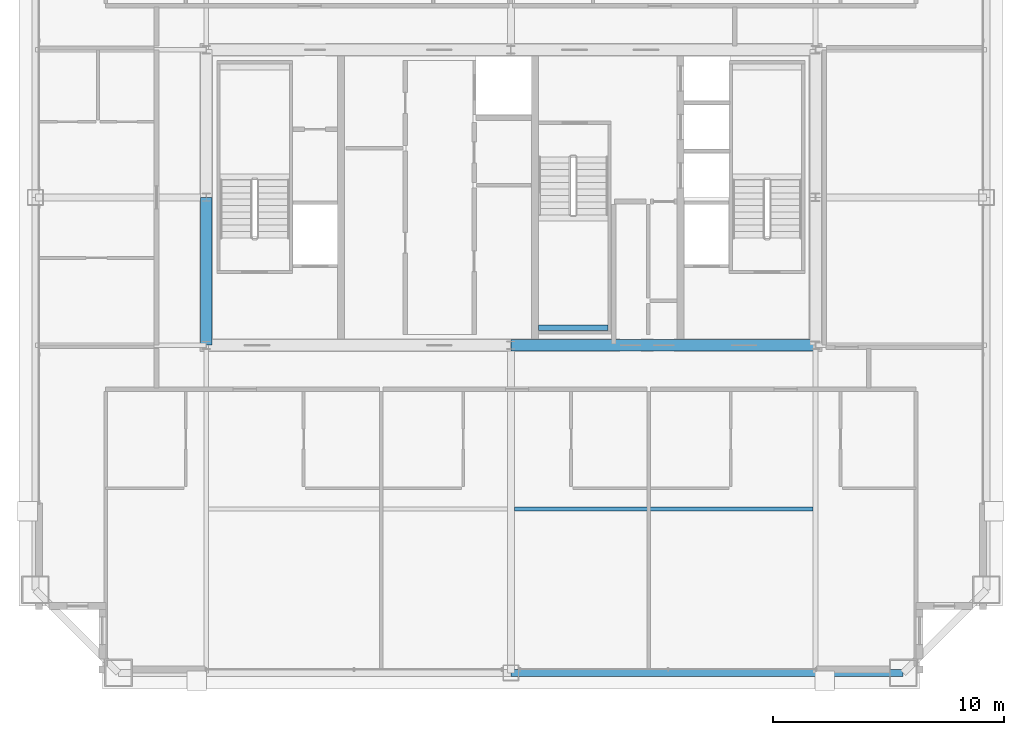
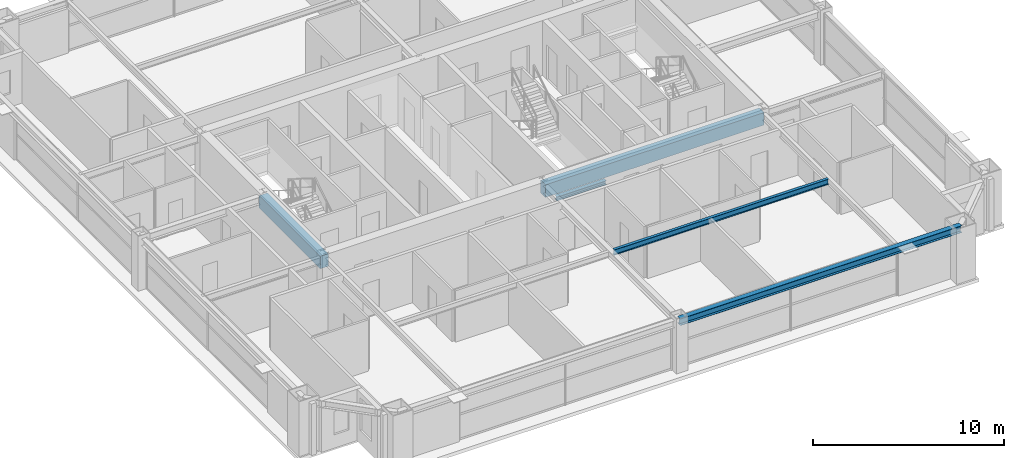
# One storey, part 13 of 37: 5 beams.
"""IFC4 building model written with IfcOpenShell, lengths in metres."""

from ifc_helpers import new_model, si_unit, direction, frame, origin, origin_2d, place, context, subcontext, project, spatial, rectangle, i_section, extrude, source, transform, mapped, material, material_profile, profile_set, type_object, element, save


model = new_model("IFC4")

# Units and contexts
model_context = context("Model", 3, precision=1e-05, world=origin(), true_north=direction((0.0, 1.0)))
body_context = subcontext(model_context, "Body", "Model", "MODEL_VIEW")
ifc_project = project(units=[si_unit("LENGTHUNIT", "METRE"), si_unit("AREAUNIT", "SQUARE_METRE"), si_unit("VOLUMEUNIT", "CUBIC_METRE"), si_unit("PLANEANGLEUNIT", "RADIAN"), si_unit("MASSUNIT", "GRAM", prefix="KILO"), si_unit("THERMODYNAMICTEMPERATUREUNIT", "KELVIN"), si_unit("POWERUNIT", "WATT")], contexts=[model_context])

# Site, building, storey
site_placement = place(None, origin())
site = spatial("IfcSite", under=ifc_project, at=site_placement, CompositionType="ELEMENT")
building_placement = place(site_placement, origin())
building = spatial("IfcBuilding", under=site, at=building_placement, Name="Yuzanri Waterfront Tower", CompositionType="ELEMENT")
storey_placement = place(building_placement, frame((0.0, 0.0, 268.10009765625)))
storey = spatial("IfcBuildingStorey", under=building, at=storey_placement, Name="L71", CompositionType="ELEMENT", Elevation=268.10009765625)

# Beams
ifc_material_1 = material(Name="Concrete C50", Category="concrete")
ifc_material_profile_1 = material_profile(ifc_material_1, rectangle(XDim=0.5, YDim=0.800048828125, at=origin_2d()), Name="RC 500x800")
ifc_profile_set_1 = profile_set([ifc_material_profile_1], Name="Concrete C50")
beam_type_1 = type_object("IfcBeamType", Name="Core Coupling Lintel Concrete C50 500x800", PredefinedType="LINTEL", material=ifc_profile_set_1)
shared_shape_1 = source(origin(), body_context, "Body", "SweptSolid", [
    extrude(rectangle(XDim=0.5, YDim=0.800048828125, at=origin_2d()), origin(), (0.0, 0.0, 1.0), 13.199951171875),
])
beam_1_placement = place(storey_placement, frame((37.0, 19.39990234375, 2.8798828125), z_axis=(1.0, 0.0, 0.0), x_axis=(0.0, 1.0, 0.0)))
element("IfcBeam", 1, at=beam_1_placement, inside=storey, type_object=beam_type_1, Name="L71 Core Tie Beam CS2", PredefinedType="LINTEL", context=body_context, shape_type="MappedRepresentation", body=[
    mapped(shared_shape_1, transform((0.0, 0.0, 0.0), scale=1.0)),
])
shared_shape_2 = source(origin(), body_context, "Body", "SweptSolid", [
    extrude(rectangle(XDim=0.5, YDim=0.800048828125, at=origin_2d()), origin(), (0.0, 0.0, 1.0), 6.400146484375),
])
beam_2_placement = place(storey_placement, frame((23.800048828125, 19.39990234375, 2.8798828125), z_axis=(0.0, 1.0, 0.0), x_axis=(-1.0, 0.0, 0.0)))
element("IfcBeam", 2, at=beam_2_placement, inside=storey, type_object=beam_type_1, Name="L71 Core Tie Beam CW1", PredefinedType="LINTEL", context=body_context, shape_type="MappedRepresentation", body=[
    mapped(shared_shape_2, transform((0.0, 0.0, 0.0), scale=1.0)),
])
ifc_material_2 = material(Name="Steel Q355B", Category="steel")
ifc_material_profile_2 = material_profile(ifc_material_2, i_section(OverallWidth=0.300048828125, OverallDepth=0.43994140625, WebThickness=0.010986328125, FlangeThickness=0.01806640625, at=origin_2d()), Name="HM 440x300x11x18")
ifc_profile_set_2 = profile_set([ifc_material_profile_2], Name="Steel Q355B")
beam_type_2 = type_object("IfcBeamType", Name="Perimeter Spandrel Q355B HM 440x300", PredefinedType="SPANDREL", material=ifc_profile_set_2)
shared_shape_3 = source(origin(), body_context, "Body", "SweptSolid", [
    extrude(i_section(OverallWidth=0.300048828125, OverallDepth=0.43994140625, WebThickness=0.010986328125, FlangeThickness=0.01806640625, at=origin_2d()), origin(), (0.0, 0.0, 1.0), 17.0),
])
beam_3_placement = place(storey_placement, frame((37.0, 5.199951171875, 3.059814453125), z_axis=(1.0, 0.0, 0.0), x_axis=(0.0, 1.0, 0.0)))
element("IfcBeam", 3, at=beam_3_placement, inside=storey, type_object=beam_type_2, Name="L71 Perimeter Spandrel S2-S3", PredefinedType="SPANDREL", context=body_context, shape_type="MappedRepresentation", body=[
    mapped(shared_shape_3, transform((0.0, 0.0, 0.0), scale=1.0)),
])
ifc_material_3 = material(Name="Steel Q355B", Category="steel")
ifc_material_profile_3 = material_profile(ifc_material_3, i_section(OverallWidth=0.175048828125, OverallDepth=0.35009765625, WebThickness=0.007080078125, FlangeThickness=0.010986328125, at=origin_2d()), Name="HN 350x175x7x11")
ifc_profile_set_3 = profile_set([ifc_material_profile_3], Name="Steel Q355B")
beam_type_3 = type_object("IfcBeamType", Name="Floor Joist Q355B HN 350x175", PredefinedType="JOIST", material=ifc_profile_set_3)
shared_shape_4 = source(origin(), body_context, "Body", "SweptSolid", [
    extrude(i_section(OverallWidth=0.175048828125, OverallDepth=0.35009765625, WebThickness=0.007080078125, FlangeThickness=0.010986328125, at=origin_2d()), origin(), (0.0, 0.0, 1.0), 12.9501953125),
])
beam_4_placement = place(storey_placement, frame((37.14990234375, 12.300048828125, 3.10498046875), z_axis=(1.0, 0.0, 0.0), x_axis=(0.0, 1.0, 0.0)))
element("IfcBeam", 4, at=beam_4_placement, inside=storey, type_object=beam_type_3, Name="L71 South Bay Joist E", PredefinedType="JOIST", context=body_context, shape_type="MappedRepresentation", body=[
    mapped(shared_shape_4, transform((0.0, 0.0, 0.0), scale=1.0)),
])
ifc_material_4 = material(Name="Steel Q355B", Category="steel")
ifc_material_profile_4 = material_profile(ifc_material_4, i_section(OverallWidth=0.25, OverallDepth=0.25, WebThickness=0.009033203125, FlangeThickness=0.013916015625, at=origin_2d()), Name="HW 250x250x9x14")
ifc_profile_set_4 = profile_set([ifc_material_profile_4], Name="Steel Q355B")
beam_type_4 = type_object("IfcBeamType", Name="Stair Landing Support Beam Q355B HW 250x250", PredefinedType="BEAM", material=ifc_profile_set_4)
shared_shape_5 = source(origin(), body_context, "Body", "SweptSolid", [
    extrude(i_section(OverallWidth=0.25, OverallDepth=0.25, WebThickness=0.009033203125, FlangeThickness=0.013916015625, at=origin_2d()), origin(), (0.0, 0.0, 1.0), 3.0),
])
beam_5_placement = place(storey_placement, frame((38.199951171875, 20.14990234375, 1.4248046875), z_axis=(1.0, 0.0, 0.0), x_axis=(0.0, 1.0, 0.0)))
element("IfcBeam", 5, at=beam_5_placement, inside=storey, type_object=beam_type_4, Name="L71 Stair Landing Support Beam ST-03-L71-L1-1", PredefinedType="BEAM", context=body_context, shape_type="MappedRepresentation", body=[
    mapped(shared_shape_5, transform((0.0, 0.0, 0.0), scale=1.0)),
])

save(model, "model.ifc")
